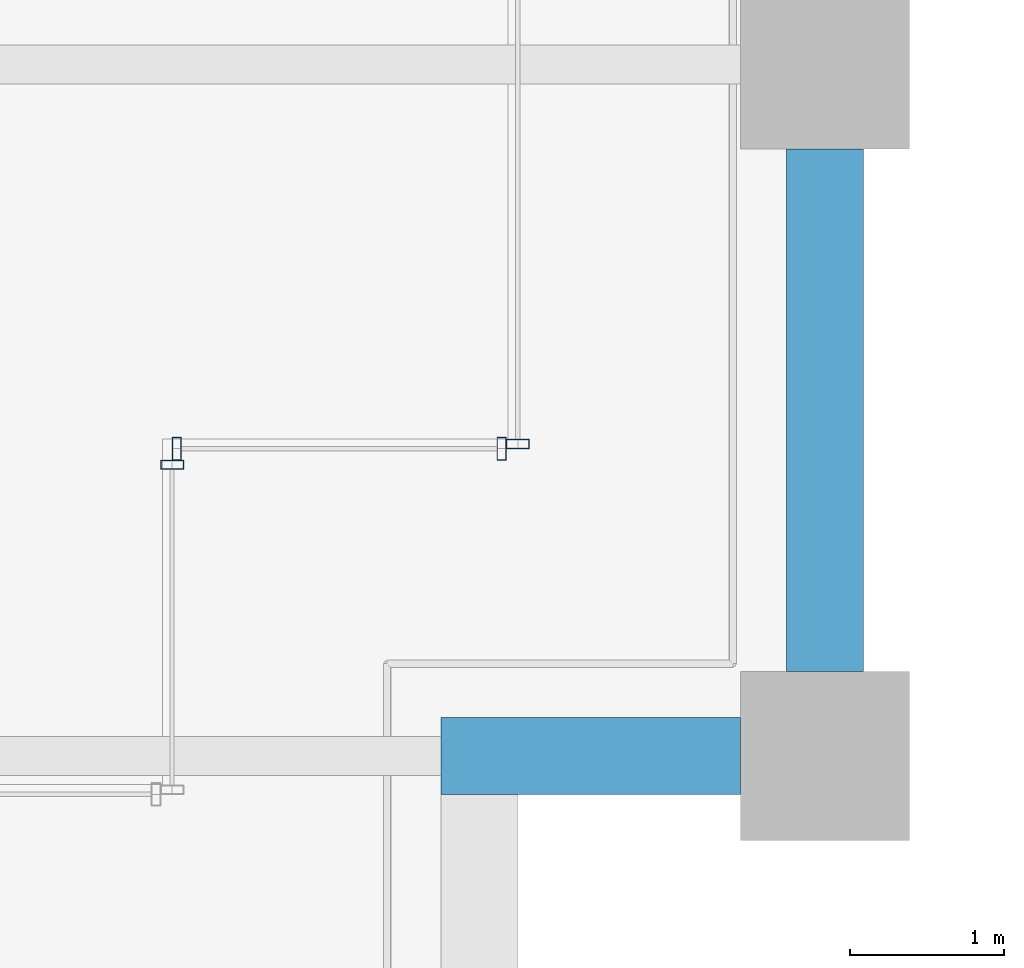
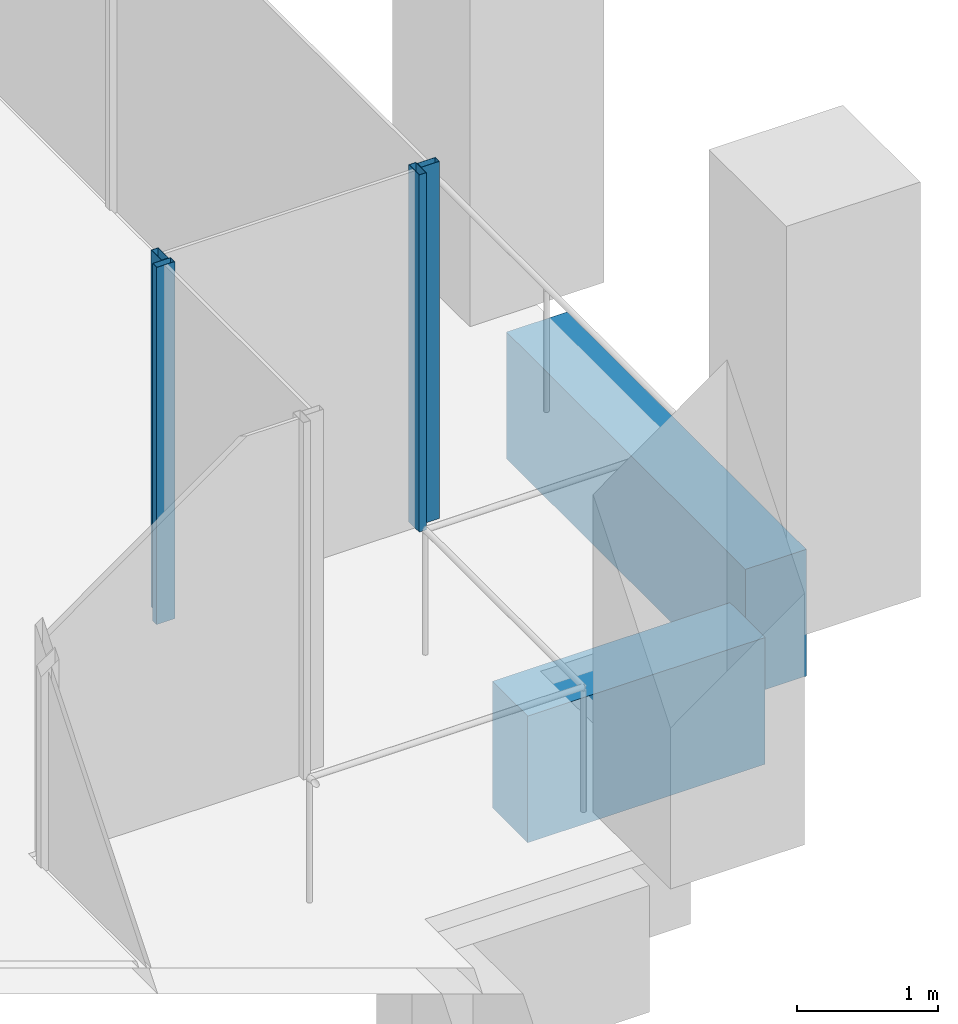
# One storey, part 16 of 56: 4 members, 2 beams, 3 elements without a shape of their own.
"""IFC4 building model written with IfcOpenShell, lengths in metres."""

from ifc_helpers import new_model, si_unit, direction, frame, origin, origin_2d, place, context, subcontext, project, spatial, rectangle, hollow_rectangle, extrude, material, material_profile, profile_set, type_object, element, aggregate, save


model = new_model("IFC4")

# Units and contexts
model_context = context("Model", 3, precision=1e-05, world=origin(), true_north=direction((0.0, 1.0)))
body_context = subcontext(model_context, "Body", "Model", "MODEL_VIEW")
ifc_project = project(units=[si_unit("LENGTHUNIT", "METRE"), si_unit("AREAUNIT", "SQUARE_METRE"), si_unit("VOLUMEUNIT", "CUBIC_METRE"), si_unit("PLANEANGLEUNIT", "RADIAN"), si_unit("MASSUNIT", "GRAM", prefix="KILO")], contexts=[model_context])

# Site, building, storey
site_placement = place(None, origin())
site = spatial("IfcSite", under=ifc_project, at=site_placement, CompositionType="ELEMENT")
building_placement = place(site_placement, origin())
building = spatial("IfcBuilding", under=site, at=building_placement, Name="Altepetl Exchange Towers", CompositionType="ELEMENT")
storey_placement = place(building_placement, frame((0.0, 0.0, 51.0)))
storey = spatial("IfcBuildingStorey", under=building, at=storey_placement, Name="L11", CompositionType="ELEMENT", Elevation=51.0)

# Curtain wall, member
ifc_material_1 = material(Name="Aluminium 6063-T6 glazing", Category="aluminium")
curtain_wall_type = type_object("IfcCurtainWallType", Name="Loggia glazing system", PredefinedType="NOTDEFINED", material=ifc_material_1)
curtain_wall_1_placement = place(storey_placement, origin())
curtain_wall_1 = element("IfcCurtainWall", 1, at=curtain_wall_1_placement, inside=storey, type_object=curtain_wall_type, Name="CW1 run", PredefinedType="NOTDEFINED")
ifc_material_2 = material(Name="Aluminium 6063-T6", Category="aluminium")
ifc_material_profile_1 = material_profile(ifc_material_2, hollow_rectangle(XDim=0.06005859375, YDim=0.14990234375, WallThickness=0.0029296875, at=origin_2d()), Name="Mullion 60x150 aluminium")
ifc_profile_set_1 = profile_set([ifc_material_profile_1], Name="Aluminium 6063-T6")
member_type = type_object("IfcMemberType", Name="Mullion 60x150 aluminium", PredefinedType="MULLION", material=ifc_profile_set_1)
member_1_placement = place(storey_placement, frame((67.75, 33.39501953125, 0.0), z_axis=(0.0, 0.0, 1.0), x_axis=(0.0, 1.0, 0.0)))
member_1 = element("IfcMember", 2, at=member_1_placement, type_object=member_type, Name="MU1 mullion", PredefinedType="MULLION", context=body_context, shape_type="SweptSolid", body=[
    extrude(hollow_rectangle(XDim=0.06005859375, YDim=0.14990234375, WallThickness=0.0029296875, at=origin_2d()), origin(), (0.0, 0.0, 1.0), 3.10009765625),
])
aggregate(curtain_wall_1, [member_1])

# Curtain wall, members
curtain_wall_2_placement = place(storey_placement, origin())
curtain_wall_2 = element("IfcCurtainWall", 3, at=curtain_wall_2_placement, inside=storey, type_object=curtain_wall_type, Name="CW1 run", PredefinedType="NOTDEFINED")
member_2_placement = place(storey_placement, frame((67.780029296875, 33.5, 0.0)))
member_2 = element("IfcMember", 4, at=member_2_placement, type_object=member_type, Name="MU1 mullion", PredefinedType="MULLION", context=body_context, shape_type="SweptSolid", body=[
    extrude(hollow_rectangle(XDim=0.06005859375, YDim=0.14990234375, WallThickness=0.0029296875, at=origin_2d()), origin(), (0.0, 0.0, 1.0), 3.10009765625),
])
member_3_placement = place(storey_placement, frame((69.89501953125, 33.5, 0.0)))
member_3 = element("IfcMember", 5, at=member_3_placement, type_object=member_type, Name="MU1 mullion", PredefinedType="MULLION", context=body_context, shape_type="SweptSolid", body=[
    extrude(hollow_rectangle(XDim=0.06005859375, YDim=0.14990234375, WallThickness=0.0029296875, at=origin_2d()), origin(), (0.0, 0.0, 1.0), 3.10009765625),
])
aggregate(curtain_wall_2, [member_2, member_3])

# Curtain wall, member
curtain_wall_3_placement = place(storey_placement, origin())
curtain_wall_3 = element("IfcCurtainWall", 6, at=curtain_wall_3_placement, inside=storey, type_object=curtain_wall_type, Name="CW1 run", PredefinedType="NOTDEFINED")
member_4_placement = place(storey_placement, frame((70.0, 33.530029296875, 0.0), z_axis=(0.0, 0.0, 1.0), x_axis=(0.0, 1.0, 0.0)))
member_4 = element("IfcMember", 7, at=member_4_placement, type_object=member_type, Name="MU1 mullion", PredefinedType="MULLION", context=body_context, shape_type="SweptSolid", body=[
    extrude(hollow_rectangle(XDim=0.06005859375, YDim=0.14990234375, WallThickness=0.0029296875, at=origin_2d()), origin(), (0.0, 0.0, 1.0), 3.10009765625),
])
aggregate(curtain_wall_3, [member_4])

# Beams
ifc_material_3 = material(Name="Concrete C50/60 precast with cantera amarilla facing", Category="concrete")
ifc_material_profile_2 = material_profile(ifc_material_3, rectangle(XDim=0.5, YDim=1.10009765625, at=origin_2d()), Name="500 x 1100")
ifc_profile_set_2 = profile_set([ifc_material_profile_2], Name="Concrete C50/60 precast with cantera amarilla facing")
beam_type = type_object("IfcBeamType", Name="Spandrel beam 500x1100 cantera amarilla", PredefinedType="SPANDREL", material=ifc_profile_set_2)
beam_1_placement = place(storey_placement, frame((69.5, 31.5, -0.699951171875), z_axis=(1.0, 0.0, 0.0), x_axis=(0.0, 1.0, 0.0)))
element("IfcBeam", 8, at=beam_1_placement, inside=storey, type_object=beam_type, Name="sp:A:L11:011", PredefinedType="SPANDREL", context=body_context, shape_type="SweptSolid", body=[
    extrude(rectangle(XDim=0.5, YDim=1.10009765625, at=origin_2d()), origin(), (0.0, 0.0, 1.0), 1.949951171875),
])
beam_2_placement = place(storey_placement, frame((72.0, 32.050048828125, -0.699951171875), z_axis=(0.0, 1.0, 0.0), x_axis=(-1.0, 0.0, 0.0)))
element("IfcBeam", 9, at=beam_2_placement, inside=storey, type_object=beam_type, Name="sp:A:L11:012", PredefinedType="SPANDREL", context=body_context, shape_type="SweptSolid", body=[
    extrude(rectangle(XDim=0.5, YDim=1.10009765625, at=origin_2d()), origin(), (0.0, 0.0, 1.0), 3.39990234375),
])

save(model, "model.ifc")
